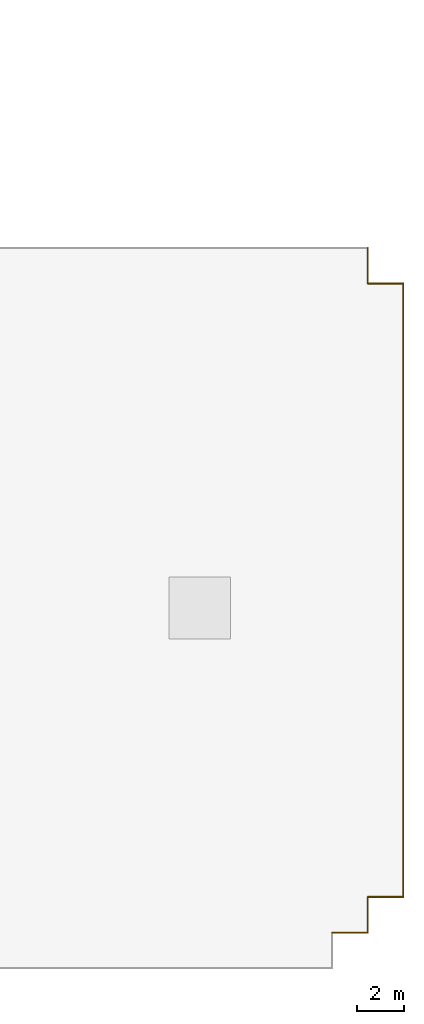
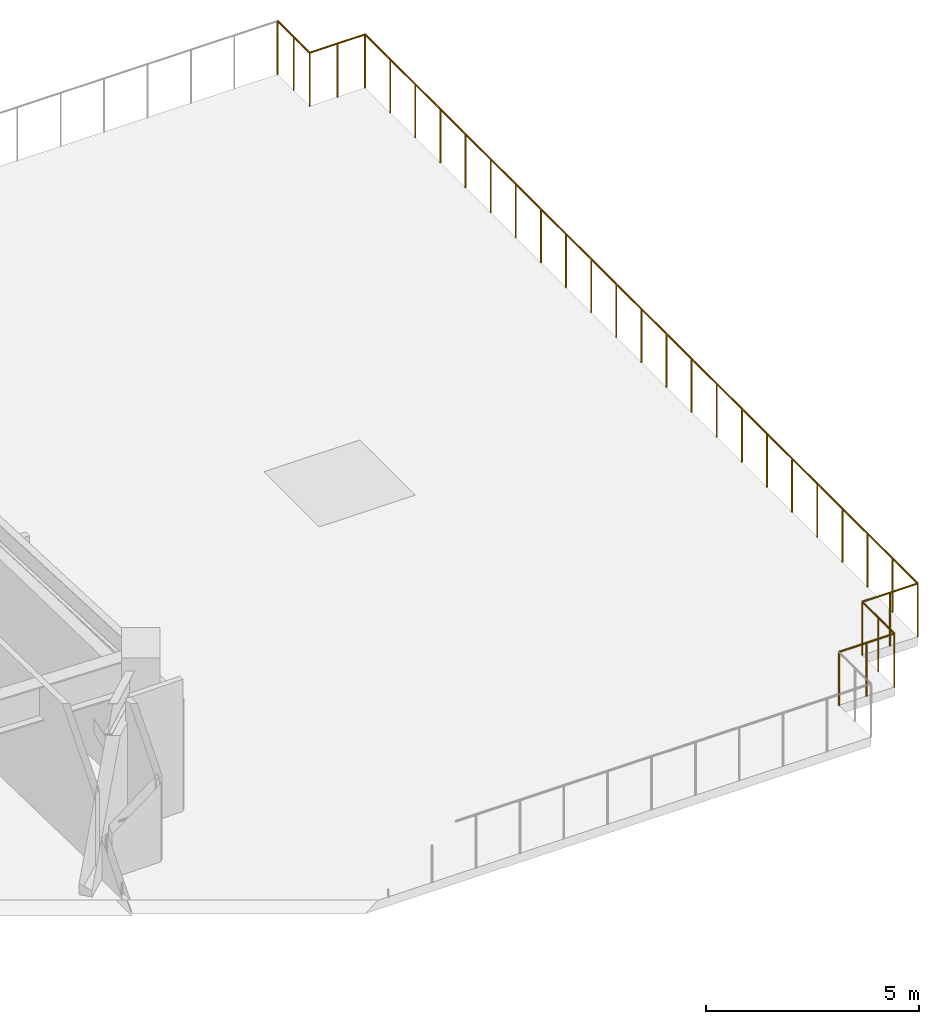
# One storey, part 17 of 17: 6 railings.
"""IFC4 building model written with IfcOpenShell, lengths in metres."""

from ifc_helpers import new_model, si_unit, direction, frame, origin, origin_2d, place, context, subcontext, project, spatial, circle, extrude, material, layer, layer_set, type_object, element, save


model = new_model("IFC4")

# Units and contexts
model_context = context("Model", 3, precision=1e-05, world=origin(), true_north=direction((0.0, 1.0)))
body_context = subcontext(model_context, "Body", "Model", "MODEL_VIEW")
ifc_project = project(units=[si_unit("LENGTHUNIT", "METRE"), si_unit("AREAUNIT", "SQUARE_METRE"), si_unit("VOLUMEUNIT", "CUBIC_METRE"), si_unit("PLANEANGLEUNIT", "RADIAN"), si_unit("MASSUNIT", "GRAM", prefix="KILO")], contexts=[model_context])

# Site, building, storey
site_placement = place(None, origin())
site = spatial("IfcSite", under=ifc_project, at=site_placement, CompositionType="ELEMENT")
building_placement = place(site_placement, origin())
building = spatial("IfcBuilding", under=site, at=building_placement, Name="Gaonmaruhae Medical Tower", CompositionType="ELEMENT")
storey_placement = place(building_placement, frame((0.0, 0.0, 27.0)))
storey = spatial("IfcBuildingStorey", under=building, at=storey_placement, Name="L05", CompositionType="ELEMENT", Elevation=27.0)

# Railings
ifc_material = material(Name="Stainless steel 316L and laminated safety glass", Category="steel")
ifc_layer = layer(ifc_material, 0.080078125)
ifc_layer_set = layer_set([ifc_layer], Name="Stainless steel 316L and laminated safety glass")
railing_type = type_object("IfcRailingType", Name="GD-155 Planter-Edge Raised Safety Balustrade", PredefinedType="BALUSTRADE", material=ifc_layer_set)
railing_1_placement = place(storey_placement, frame((81.300048828125, 30.39990234375, 0.0)))
element("IfcRailing", 1, at=railing_1_placement, inside=storey, type_object=railing_type, Name="L05 Terrace Safety Guard RL-SLB-L05-PODROOF1-14", PredefinedType="BALUSTRADE", context=body_context, shape_type="SweptSolid", body=[
    extrude(circle(Radius=0.02392578125, at=origin_2d()), frame((0.0, 0.0, 1.52587890625), z_axis=(0.0, -1.0, 0.0), x_axis=(1.0, 0.0, 0.0)), (0.0, 0.0, 1.0), 1.5),
    extrude(circle(Radius=0.02099609375, at=origin_2d()), origin(), (0.0, 0.0, 1.0), 1.501953125),
    extrude(circle(Radius=0.02099609375, at=origin_2d()), frame((0.0, -0.75, 0.0)), (0.0, 0.0, 1.0), 1.501953125),
    extrude(circle(Radius=0.02099609375, at=origin_2d()), frame((0.0, -1.5, 0.0)), (0.0, 0.0, 1.0), 1.501953125),
])
railing_2_placement = place(storey_placement, frame((81.300048828125, 28.89990234375, 0.0)))
element("IfcRailing", 2, at=railing_2_placement, inside=storey, type_object=railing_type, Name="L05 Terrace Safety Guard RL-SLB-L05-PODROOF1-15", PredefinedType="BALUSTRADE", context=body_context, shape_type="SweptSolid", body=[
    extrude(circle(Radius=0.02392578125, at=origin_2d()), frame((0.0, 0.0, 1.52587890625), z_axis=(1.0, 0.0, 0.0), x_axis=(0.0, 1.0, 0.0)), (0.0, 0.0, 1.0), 1.5),
    extrude(circle(Radius=0.02099609375, at=origin_2d()), origin(), (0.0, 0.0, 1.0), 1.501953125),
    extrude(circle(Radius=0.02099609375, at=origin_2d()), frame((0.75, 0.0, 0.0)), (0.0, 0.0, 1.0), 1.501953125),
    extrude(circle(Radius=0.02099609375, at=origin_2d()), frame((1.5, 0.0, 0.0)), (0.0, 0.0, 1.0), 1.501953125),
])
railing_3_placement = place(storey_placement, frame((82.800048828125, 28.89990234375, 0.0)))
element("IfcRailing", 3, at=railing_3_placement, inside=storey, type_object=railing_type, Name="L05 Terrace Safety Guard RL-SLB-L05-PODROOF1-16", PredefinedType="BALUSTRADE", context=body_context, shape_type="SweptSolid", body=[
    extrude(circle(Radius=0.02392578125, at=origin_2d()), frame((0.0, 0.0, 1.52587890625), z_axis=(0.0, -1.0, 0.0), x_axis=(1.0, 0.0, 0.0)), (0.0, 0.0, 1.0), 25.89990234375),
    extrude(circle(Radius=0.02099609375, at=origin_2d()), origin(), (0.0, 0.0, 1.0), 1.501953125),
    extrude(circle(Radius=0.02099609375, at=origin_2d()), frame((0.0, -1.17724609375, 0.0)), (0.0, 0.0, 1.0), 1.501953125),
    extrude(circle(Radius=0.02099609375, at=origin_2d()), frame((0.0, -2.3544921875, 0.0)), (0.0, 0.0, 1.0), 1.501953125),
    extrude(circle(Radius=0.02099609375, at=origin_2d()), frame((0.0, -3.53173828125, 0.0)), (0.0, 0.0, 1.0), 1.501953125),
    extrude(circle(Radius=0.02099609375, at=origin_2d()), frame((0.0, -4.708984375, 0.0)), (0.0, 0.0, 1.0), 1.501953125),
    extrude(circle(Radius=0.02099609375, at=origin_2d()), frame((0.0, -5.88623046875, 0.0)), (0.0, 0.0, 1.0), 1.501953125),
    extrude(circle(Radius=0.02099609375, at=origin_2d()), frame((0.0, -7.063720703125, 0.0)), (0.0, 0.0, 1.0), 1.501953125),
    extrude(circle(Radius=0.02099609375, at=origin_2d()), frame((0.0, -8.240966796875, 0.0)), (0.0, 0.0, 1.0), 1.501953125),
    extrude(circle(Radius=0.02099609375, at=origin_2d()), frame((0.0, -9.418212890625, 0.0)), (0.0, 0.0, 1.0), 1.501953125),
    extrude(circle(Radius=0.02099609375, at=origin_2d()), frame((0.0, -10.595458984375, 0.0)), (0.0, 0.0, 1.0), 1.501953125),
    extrude(circle(Radius=0.02099609375, at=origin_2d()), frame((0.0, -11.772705078125, 0.0)), (0.0, 0.0, 1.0), 1.501953125),
    extrude(circle(Radius=0.02099609375, at=origin_2d()), frame((0.0, -12.949951171875, 0.0)), (0.0, 0.0, 1.0), 1.501953125),
    extrude(circle(Radius=0.02099609375, at=origin_2d()), frame((0.0, -14.127197265625, 0.0)), (0.0, 0.0, 1.0), 1.501953125),
    extrude(circle(Radius=0.02099609375, at=origin_2d()), frame((0.0, -15.304443359375, 0.0)), (0.0, 0.0, 1.0), 1.501953125),
    extrude(circle(Radius=0.02099609375, at=origin_2d()), frame((0.0, -16.481689453125, 0.0)), (0.0, 0.0, 1.0), 1.501953125),
    extrude(circle(Radius=0.02099609375, at=origin_2d()), frame((0.0, -17.658935546875, 0.0)), (0.0, 0.0, 1.0), 1.501953125),
    extrude(circle(Radius=0.02099609375, at=origin_2d()), frame((0.0, -18.836181640625, 0.0)), (0.0, 0.0, 1.0), 1.501953125),
    extrude(circle(Radius=0.02099609375, at=origin_2d()), frame((0.0, -20.013671875, 0.0)), (0.0, 0.0, 1.0), 1.501953125),
    extrude(circle(Radius=0.02099609375, at=origin_2d()), frame((0.0, -21.19091796875, 0.0)), (0.0, 0.0, 1.0), 1.501953125),
    extrude(circle(Radius=0.02099609375, at=origin_2d()), frame((0.0, -22.3681640625, 0.0)), (0.0, 0.0, 1.0), 1.501953125),
    extrude(circle(Radius=0.02099609375, at=origin_2d()), frame((0.0, -23.54541015625, 0.0)), (0.0, 0.0, 1.0), 1.501953125),
    extrude(circle(Radius=0.02099609375, at=origin_2d()), frame((0.0, -24.72265625, 0.0)), (0.0, 0.0, 1.0), 1.501953125),
    extrude(circle(Radius=0.02099609375, at=origin_2d()), frame((0.0, -25.89990234375, 0.0)), (0.0, 0.0, 1.0), 1.501953125),
])
railing_4_placement = place(storey_placement, frame((82.800048828125, 3.0, 0.0)))
element("IfcRailing", 4, at=railing_4_placement, inside=storey, type_object=railing_type, Name="L05 Terrace Safety Guard RL-SLB-L05-PODROOF1-17", PredefinedType="BALUSTRADE", context=body_context, shape_type="SweptSolid", body=[
    extrude(circle(Radius=0.02392578125, at=origin_2d()), frame((0.0, 0.0, 1.52587890625), z_axis=(-1.0, 0.0, 0.0), x_axis=(0.0, -1.0, 0.0)), (0.0, 0.0, 1.0), 1.5),
    extrude(circle(Radius=0.02099609375, at=origin_2d()), origin(), (0.0, 0.0, 1.0), 1.501953125),
    extrude(circle(Radius=0.02099609375, at=origin_2d()), frame((-0.75, 0.0, 0.0)), (0.0, 0.0, 1.0), 1.501953125),
    extrude(circle(Radius=0.02099609375, at=origin_2d()), frame((-1.5, 0.0, 0.0)), (0.0, 0.0, 1.0), 1.501953125),
])
railing_5_placement = place(storey_placement, frame((81.300048828125, 3.0, 0.0)))
element("IfcRailing", 5, at=railing_5_placement, inside=storey, type_object=railing_type, Name="L05 Terrace Safety Guard RL-SLB-L05-PODROOF1-18", PredefinedType="BALUSTRADE", context=body_context, shape_type="SweptSolid", body=[
    extrude(circle(Radius=0.02392578125, at=origin_2d()), frame((0.0, 0.0, 1.52587890625), z_axis=(0.0, -1.0, 0.0), x_axis=(1.0, 0.0, 0.0)), (0.0, 0.0, 1.0), 1.5),
    extrude(circle(Radius=0.02099609375, at=origin_2d()), origin(), (0.0, 0.0, 1.0), 1.501953125),
    extrude(circle(Radius=0.02099609375, at=origin_2d()), frame((0.0, -0.75, 0.0)), (0.0, 0.0, 1.0), 1.501953125),
    extrude(circle(Radius=0.02099609375, at=origin_2d()), frame((0.0, -1.5, 0.0)), (0.0, 0.0, 1.0), 1.501953125),
])
railing_6_placement = place(storey_placement, frame((81.300048828125, 1.5, 0.0)))
element("IfcRailing", 6, at=railing_6_placement, inside=storey, type_object=railing_type, Name="L05 Terrace Safety Guard RL-SLB-L05-PODROOF1-19", PredefinedType="BALUSTRADE", context=body_context, shape_type="SweptSolid", body=[
    extrude(circle(Radius=0.02392578125, at=origin_2d()), frame((0.0, 0.0, 1.52587890625), z_axis=(-1.0, 0.0, 0.0), x_axis=(0.0, -1.0, 0.0)), (0.0, 0.0, 1.0), 1.5),
    extrude(circle(Radius=0.02099609375, at=origin_2d()), origin(), (0.0, 0.0, 1.0), 1.501953125),
    extrude(circle(Radius=0.02099609375, at=origin_2d()), frame((-0.75, 0.0, 0.0)), (0.0, 0.0, 1.0), 1.501953125),
    extrude(circle(Radius=0.02099609375, at=origin_2d()), frame((-1.5, 0.0, 0.0)), (0.0, 0.0, 1.0), 1.501953125),
])

save(model, "model.ifc")
